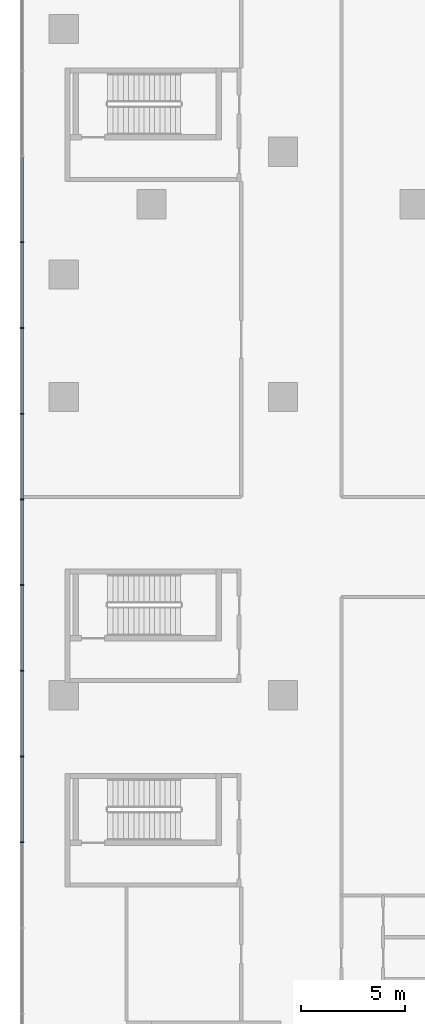
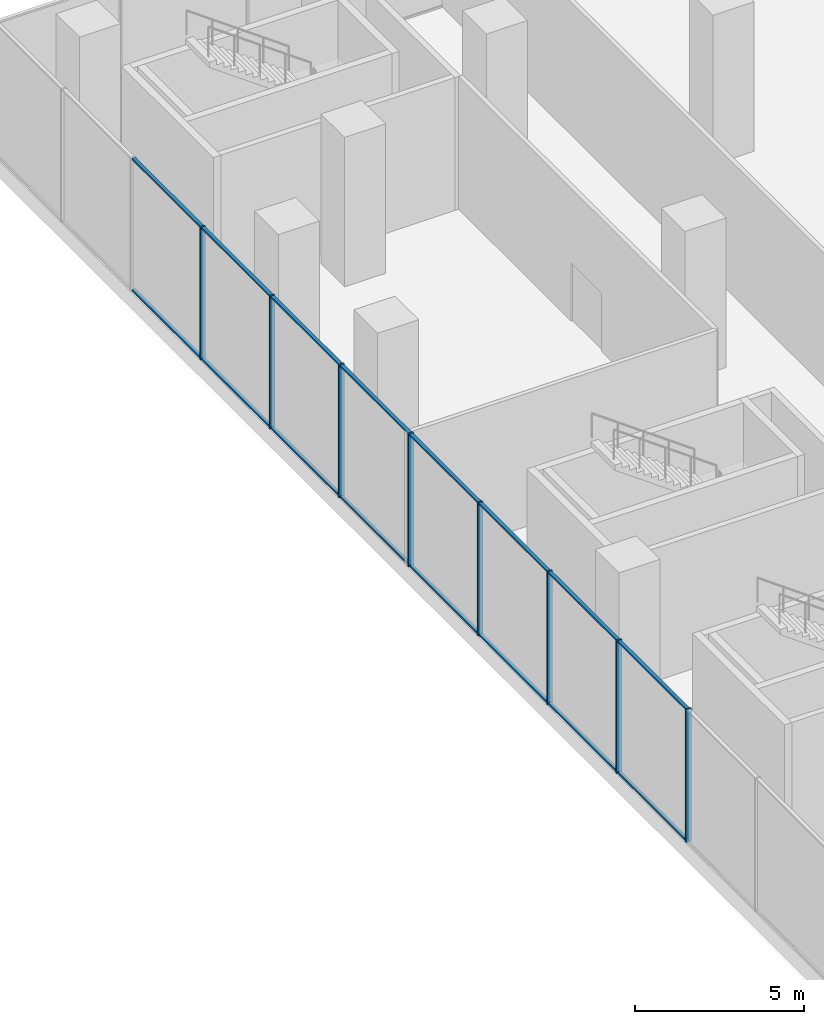
# One storey, part 6 of 23: 24 members, 1 element without a shape of its own.
"""IFC4 building model written with IfcOpenShell, lengths in metres."""

from ifc_helpers import new_model, si_unit, direction, frame, origin, origin_2d, place, context, subcontext, project, spatial, rectangle, extrude, source, transform, mapped, material, layer, layer_set, material_profile, profile_set, type_object, element, aggregate, save


model = new_model("IFC4")

# Units and contexts
model_context = context("Model", 3, precision=1e-05, world=origin(), true_north=direction((0.0, 1.0)))
body_context = subcontext(model_context, "Body", "Model", "MODEL_VIEW")
ifc_project = project(units=[si_unit("LENGTHUNIT", "METRE"), si_unit("AREAUNIT", "SQUARE_METRE"), si_unit("VOLUMEUNIT", "CUBIC_METRE"), si_unit("PLANEANGLEUNIT", "RADIAN"), si_unit("MASSUNIT", "GRAM", prefix="KILO")], contexts=[model_context])

# Site, building, storey
site_placement = place(None, origin())
site = spatial("IfcSite", under=ifc_project, at=site_placement, CompositionType="ELEMENT")
building_placement = place(site_placement, origin())
building = spatial("IfcBuilding", under=site, at=building_placement, Name="Aurelian Terraces", CompositionType="ELEMENT")
storey_placement = place(building_placement, frame((0.0, 0.0, 23.7)))
storey = spatial("IfcBuildingStorey", under=building, at=storey_placement, Name="L04", CompositionType="ELEMENT", Elevation=23.7)

# Curtain wall, members
ifc_material_1 = material(Name="Anodised aluminium and clear glazing", Category="aluminium")
ifc_layer = layer(ifc_material_1, 0.2)
ifc_layer_set = layer_set([ifc_layer], Name="Winter garden glazing curtain wall")
curtain_wall_type = type_object("IfcCurtainWallType", Name="Winter garden glazing curtain wall", PredefinedType="NOTDEFINED", material=ifc_layer_set)
curtain_wall_placement = place(storey_placement, origin())
curtain_wall = element("IfcCurtainWall", 1, at=curtain_wall_placement, inside=storey, type_object=curtain_wall_type, Name="Winter garden glazing L04 F06.1", PredefinedType="NOTDEFINED")
ifc_material_2 = material(Name="Anodised aluminium", Category="aluminium")
ifc_material_profile_1 = material_profile(ifc_material_2, rectangle(XDim=0.18, YDim=0.06, at=origin_2d()))
ifc_profile_set_1 = profile_set([ifc_material_profile_1], Name="Anodised aluminium")
member_type_1 = type_object("IfcMemberType", Name="Winter garden glazing mullion", PredefinedType="MULLION", material=ifc_profile_set_1)
shared_shape_1 = source(origin(), body_context, "Body", "SweptSolid", [
    extrude(rectangle(XDim=0.18, YDim=0.06, at=origin_2d()), origin(), (0.0, 0.0, 1.0), 4.8),
])
member_1_placement = place(storey_placement, frame((-2.0, 59.5, 0.0), z_axis=(0.0, 0.0, 1.0), x_axis=(1.0, 0.0, 0.0)))
member_1 = element("IfcMember", 2, at=member_1_placement, type_object=member_type_1, Name="CW6 mullion 4", PredefinedType="MULLION", context=body_context, shape_type="MappedRepresentation", body=[
    mapped(shared_shape_1, transform((0.0, 0.0, 0.0), scale=1.0)),
])
member_2_placement = place(storey_placement, frame((-2.0, 55.3933, 0.0), z_axis=(0.0, 0.0, 1.0), x_axis=(1.0, 0.0, 0.0)))
member_2 = element("IfcMember", 3, at=member_2_placement, type_object=member_type_1, Name="CW6 mullion 5", PredefinedType="MULLION", context=body_context, shape_type="MappedRepresentation", body=[
    mapped(shared_shape_1, transform((0.0, 0.0, 0.0), scale=1.0)),
])
member_3_placement = place(storey_placement, frame((-2.0, 51.2867, 0.0), z_axis=(0.0, 0.0, 1.0), x_axis=(1.0, 0.0, 0.0)))
member_3 = element("IfcMember", 4, at=member_3_placement, type_object=member_type_1, Name="CW6 mullion 6", PredefinedType="MULLION", context=body_context, shape_type="MappedRepresentation", body=[
    mapped(shared_shape_1, transform((0.0, 0.0, 0.0), scale=1.0)),
])
member_4_placement = place(storey_placement, frame((-2.0, 47.18, 0.0), z_axis=(0.0, 0.0, 1.0), x_axis=(1.0, 0.0, 0.0)))
member_4 = element("IfcMember", 5, at=member_4_placement, type_object=member_type_1, Name="CW6 mullion 7", PredefinedType="MULLION", context=body_context, shape_type="MappedRepresentation", body=[
    mapped(shared_shape_1, transform((0.0, 0.0, 0.0), scale=1.0)),
])
member_5_placement = place(storey_placement, frame((-2.0, 43.0733, 0.0), z_axis=(0.0, 0.0, 1.0), x_axis=(1.0, 0.0, 0.0)))
member_5 = element("IfcMember", 6, at=member_5_placement, type_object=member_type_1, Name="CW6 mullion 8", PredefinedType="MULLION", context=body_context, shape_type="MappedRepresentation", body=[
    mapped(shared_shape_1, transform((0.0, 0.0, 0.0), scale=1.0)),
])
member_6_placement = place(storey_placement, frame((-2.0, 38.9667, 0.0), z_axis=(0.0, 0.0, 1.0), x_axis=(1.0, 0.0, 0.0)))
member_6 = element("IfcMember", 7, at=member_6_placement, type_object=member_type_1, Name="CW6 mullion 9", PredefinedType="MULLION", context=body_context, shape_type="MappedRepresentation", body=[
    mapped(shared_shape_1, transform((0.0, 0.0, 0.0), scale=1.0)),
])
member_7_placement = place(storey_placement, frame((-2.0, 34.86, 0.0), z_axis=(0.0, 0.0, 1.0), x_axis=(1.0, 0.0, 0.0)))
member_7 = element("IfcMember", 8, at=member_7_placement, type_object=member_type_1, Name="CW6 mullion 10", PredefinedType="MULLION", context=body_context, shape_type="MappedRepresentation", body=[
    mapped(shared_shape_1, transform((0.0, 0.0, 0.0), scale=1.0)),
])
member_8_placement = place(storey_placement, frame((-2.0, 30.7533, 0.0), z_axis=(0.0, 0.0, 1.0), x_axis=(1.0, 0.0, 0.0)))
member_8 = element("IfcMember", 9, at=member_8_placement, type_object=member_type_1, Name="CW6 mullion 11", PredefinedType="MULLION", context=body_context, shape_type="MappedRepresentation", body=[
    mapped(shared_shape_1, transform((0.0, 0.0, 0.0), scale=1.0)),
])
ifc_material_profile_2 = material_profile(ifc_material_2, rectangle(XDim=0.12, YDim=0.06, at=origin_2d()))
ifc_profile_set_2 = profile_set([ifc_material_profile_2], Name="Anodised aluminium")
member_type_2 = type_object("IfcMemberType", Name="Winter garden glazing transom", PredefinedType="USERDEFINED", material=ifc_profile_set_2)
shared_shape_2 = source(origin(), body_context, "Body", "SweptSolid", [
    extrude(rectangle(XDim=0.12, YDim=0.06, at=origin_2d()), origin(), (0.0, 0.0, 1.0), 4.0466),
])
member_9_placement = place(storey_placement, frame((-2.0, 55.3633, 0.03), z_axis=(0.0, -1.0, 0.0), x_axis=(1.0, 0.0, 0.0)))
member_9 = element("IfcMember", 10, at=member_9_placement, type_object=member_type_2, Name="CW6 transom 5.1", ObjectType="TRANSOM", PredefinedType="USERDEFINED", context=body_context, shape_type="MappedRepresentation", body=[
    mapped(shared_shape_2, transform((0.0, 0.0, 0.0), scale=1.0)),
])
member_10_placement = place(storey_placement, frame((-2.0, 55.3633, 4.77), z_axis=(0.0, -1.0, 0.0), x_axis=(1.0, 0.0, 0.0)))
member_10 = element("IfcMember", 11, at=member_10_placement, type_object=member_type_2, Name="CW6 transom 5.2", ObjectType="TRANSOM", PredefinedType="USERDEFINED", context=body_context, shape_type="MappedRepresentation", body=[
    mapped(shared_shape_2, transform((0.0, 0.0, 0.0), scale=1.0)),
])
member_11_placement = place(storey_placement, frame((-2.0, 43.0433, 0.03), z_axis=(0.0, -1.0, 0.0), x_axis=(1.0, 0.0, 0.0)))
member_11 = element("IfcMember", 12, at=member_11_placement, type_object=member_type_2, Name="CW6 transom 8.1", ObjectType="TRANSOM", PredefinedType="USERDEFINED", context=body_context, shape_type="MappedRepresentation", body=[
    mapped(shared_shape_2, transform((0.0, 0.0, 0.0), scale=1.0)),
])
member_12_placement = place(storey_placement, frame((-2.0, 43.0433, 4.77), z_axis=(0.0, -1.0, 0.0), x_axis=(1.0, 0.0, 0.0)))
member_12 = element("IfcMember", 13, at=member_12_placement, type_object=member_type_2, Name="CW6 transom 8.2", ObjectType="TRANSOM", PredefinedType="USERDEFINED", context=body_context, shape_type="MappedRepresentation", body=[
    mapped(shared_shape_2, transform((0.0, 0.0, 0.0), scale=1.0)),
])
shared_shape_3 = source(origin(), body_context, "Body", "SweptSolid", [
    extrude(rectangle(XDim=0.12, YDim=0.06, at=origin_2d()), origin(), (0.0, 0.0, 1.0), 4.0467),
])
member_13_placement = place(storey_placement, frame((-2.0, 63.5767, 0.03), z_axis=(0.0, -1.0, 0.0), x_axis=(1.0, 0.0, 0.0)))
member_13 = element("IfcMember", 14, at=member_13_placement, type_object=member_type_2, Name="CW6 transom 3.1", ObjectType="TRANSOM", PredefinedType="USERDEFINED", context=body_context, shape_type="MappedRepresentation", body=[
    mapped(shared_shape_3, transform((0.0, 0.0, 0.0), scale=1.0)),
])
member_14_placement = place(storey_placement, frame((-2.0, 63.5767, 4.77), z_axis=(0.0, -1.0, 0.0), x_axis=(1.0, 0.0, 0.0)))
member_14 = element("IfcMember", 15, at=member_14_placement, type_object=member_type_2, Name="CW6 transom 3.2", ObjectType="TRANSOM", PredefinedType="USERDEFINED", context=body_context, shape_type="MappedRepresentation", body=[
    mapped(shared_shape_3, transform((0.0, 0.0, 0.0), scale=1.0)),
])
member_15_placement = place(storey_placement, frame((-2.0, 59.47, 0.03), z_axis=(0.0, -1.0, 0.0), x_axis=(1.0, 0.0, 0.0)))
member_15 = element("IfcMember", 16, at=member_15_placement, type_object=member_type_2, Name="CW6 transom 4.1", ObjectType="TRANSOM", PredefinedType="USERDEFINED", context=body_context, shape_type="MappedRepresentation", body=[
    mapped(shared_shape_3, transform((0.0, 0.0, 0.0), scale=1.0)),
])
member_16_placement = place(storey_placement, frame((-2.0, 59.47, 4.77), z_axis=(0.0, -1.0, 0.0), x_axis=(1.0, 0.0, 0.0)))
member_16 = element("IfcMember", 17, at=member_16_placement, type_object=member_type_2, Name="CW6 transom 4.2", ObjectType="TRANSOM", PredefinedType="USERDEFINED", context=body_context, shape_type="MappedRepresentation", body=[
    mapped(shared_shape_3, transform((0.0, 0.0, 0.0), scale=1.0)),
])
member_17_placement = place(storey_placement, frame((-2.0, 51.2567, 0.03), z_axis=(0.0, -1.0, 0.0), x_axis=(1.0, 0.0, 0.0)))
member_17 = element("IfcMember", 18, at=member_17_placement, type_object=member_type_2, Name="CW6 transom 6.1", ObjectType="TRANSOM", PredefinedType="USERDEFINED", context=body_context, shape_type="MappedRepresentation", body=[
    mapped(shared_shape_3, transform((0.0, 0.0, 0.0), scale=1.0)),
])
member_18_placement = place(storey_placement, frame((-2.0, 51.2567, 4.77), z_axis=(0.0, -1.0, 0.0), x_axis=(1.0, 0.0, 0.0)))
member_18 = element("IfcMember", 19, at=member_18_placement, type_object=member_type_2, Name="CW6 transom 6.2", ObjectType="TRANSOM", PredefinedType="USERDEFINED", context=body_context, shape_type="MappedRepresentation", body=[
    mapped(shared_shape_3, transform((0.0, 0.0, 0.0), scale=1.0)),
])
member_19_placement = place(storey_placement, frame((-2.0, 47.15, 0.03), z_axis=(0.0, -1.0, 0.0), x_axis=(1.0, 0.0, 0.0)))
member_19 = element("IfcMember", 20, at=member_19_placement, type_object=member_type_2, Name="CW6 transom 7.1", ObjectType="TRANSOM", PredefinedType="USERDEFINED", context=body_context, shape_type="MappedRepresentation", body=[
    mapped(shared_shape_3, transform((0.0, 0.0, 0.0), scale=1.0)),
])
member_20_placement = place(storey_placement, frame((-2.0, 47.15, 4.77), z_axis=(0.0, -1.0, 0.0), x_axis=(1.0, 0.0, 0.0)))
member_20 = element("IfcMember", 21, at=member_20_placement, type_object=member_type_2, Name="CW6 transom 7.2", ObjectType="TRANSOM", PredefinedType="USERDEFINED", context=body_context, shape_type="MappedRepresentation", body=[
    mapped(shared_shape_3, transform((0.0, 0.0, 0.0), scale=1.0)),
])
member_21_placement = place(storey_placement, frame((-2.0, 38.9367, 0.03), z_axis=(0.0, -1.0, 0.0), x_axis=(1.0, 0.0, 0.0)))
member_21 = element("IfcMember", 22, at=member_21_placement, type_object=member_type_2, Name="CW6 transom 9.1", ObjectType="TRANSOM", PredefinedType="USERDEFINED", context=body_context, shape_type="MappedRepresentation", body=[
    mapped(shared_shape_3, transform((0.0, 0.0, 0.0), scale=1.0)),
])
member_22_placement = place(storey_placement, frame((-2.0, 38.9367, 4.77), z_axis=(0.0, -1.0, 0.0), x_axis=(1.0, 0.0, 0.0)))
member_22 = element("IfcMember", 23, at=member_22_placement, type_object=member_type_2, Name="CW6 transom 9.2", ObjectType="TRANSOM", PredefinedType="USERDEFINED", context=body_context, shape_type="MappedRepresentation", body=[
    mapped(shared_shape_3, transform((0.0, 0.0, 0.0), scale=1.0)),
])
member_23_placement = place(storey_placement, frame((-2.0, 34.83, 0.03), z_axis=(0.0, -1.0, 0.0), x_axis=(1.0, 0.0, 0.0)))
member_23 = element("IfcMember", 24, at=member_23_placement, type_object=member_type_2, Name="CW6 transom 10.1", ObjectType="TRANSOM", PredefinedType="USERDEFINED", context=body_context, shape_type="MappedRepresentation", body=[
    mapped(shared_shape_3, transform((0.0, 0.0, 0.0), scale=1.0)),
])
member_24_placement = place(storey_placement, frame((-2.0, 34.83, 4.77), z_axis=(0.0, -1.0, 0.0), x_axis=(1.0, 0.0, 0.0)))
member_24 = element("IfcMember", 25, at=member_24_placement, type_object=member_type_2, Name="CW6 transom 10.2", ObjectType="TRANSOM", PredefinedType="USERDEFINED", context=body_context, shape_type="MappedRepresentation", body=[
    mapped(shared_shape_3, transform((0.0, 0.0, 0.0), scale=1.0)),
])
aggregate(curtain_wall, [member_1, member_2, member_3, member_4, member_5, member_6, member_7, member_8, member_13, member_14, member_15, member_16, member_9, member_10, member_17, member_18, member_19, member_20, member_11, member_12, member_21, member_22, member_23, member_24])

save(model, "model.ifc")
